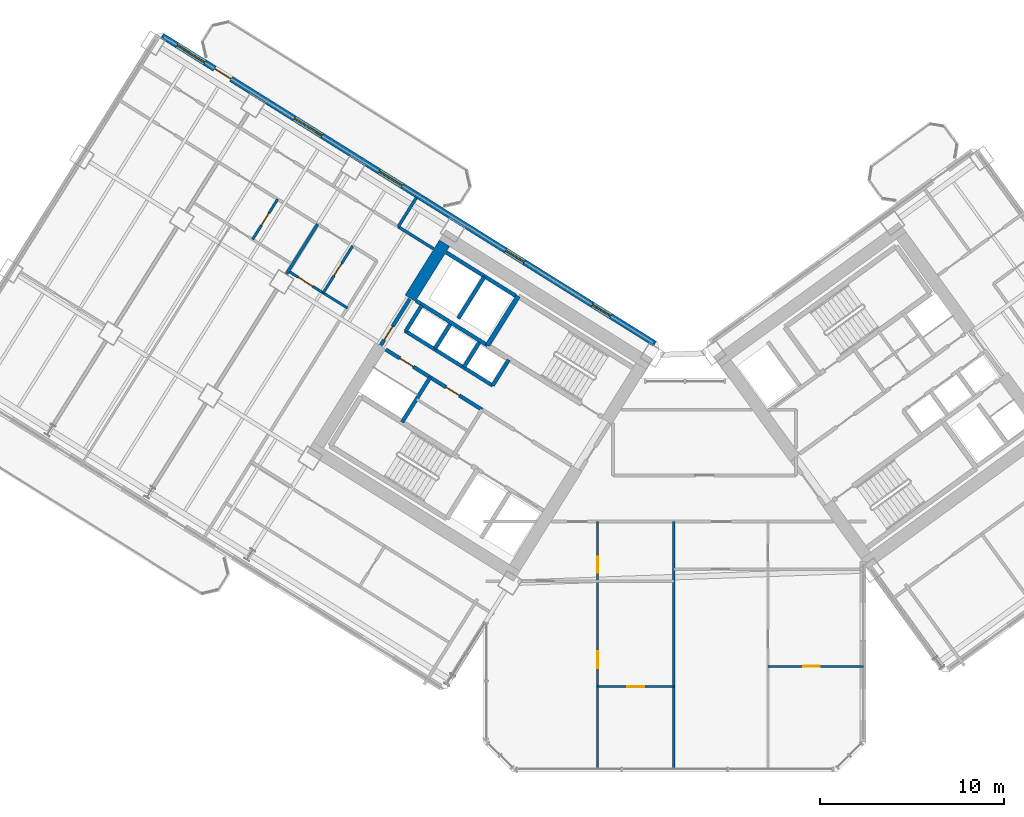
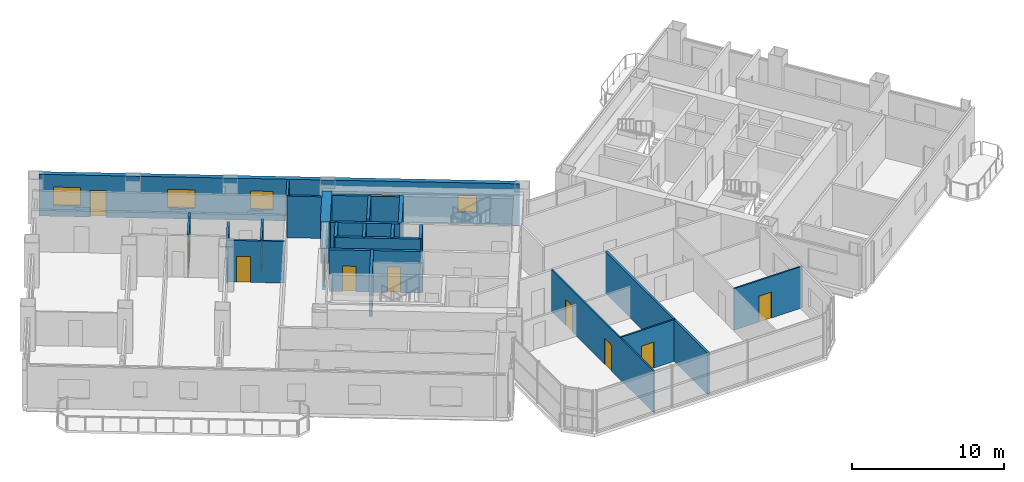
# One storey, part 16 of 28: 24 walls, 11 doors, 5 windows, 16 openings.
"""IFC4 building model written with IfcOpenShell, lengths in metres."""

from ifc_helpers import new_model, si_unit, direction, frame, frame_2d, origin, place, context, subcontext, project, spatial, rectangle, extrude, source, transform, mapped, material, layer, layer_set, type_object, element, fill, save


model = new_model("IFC4")

# Units and contexts
model_context = context("Model", 3, precision=1e-05, world=origin(), true_north=direction((0.0, 1.0)))
body_context = subcontext(model_context, "Body", "Model", "MODEL_VIEW")
ifc_project = project(units=[si_unit("LENGTHUNIT", "METRE"), si_unit("AREAUNIT", "SQUARE_METRE"), si_unit("VOLUMEUNIT", "CUBIC_METRE"), si_unit("PLANEANGLEUNIT", "RADIAN"), si_unit("MASSUNIT", "GRAM", prefix="KILO")], contexts=[model_context])

# Site, building, storey
site_placement = place(None, origin())
site = spatial("IfcSite", under=ifc_project, at=site_placement, CompositionType="ELEMENT")
building_placement = place(site_placement, origin())
building = spatial("IfcBuilding", under=site, at=building_placement, Name="Tlacorven Tower", CompositionType="ELEMENT")
storey_placement = place(building_placement, frame((0.0, 0.0, 34.800048828125)))
storey = spatial("IfcBuildingStorey", under=building, at=storey_placement, Name="L08", CompositionType="ELEMENT", Elevation=34.800048828125)

# Walls
ifc_material_1 = material(Name="Concrete C60/75", Category="concrete")
ifc_layer_1 = layer(ifc_material_1, 0.64990234375)
ifc_layer_set_1 = layer_set([ifc_layer_1], Name="Concrete C60/75")
wall_type_1 = type_object("IfcWallType", Name="WL-COR-650", PredefinedType="SHEAR", material=ifc_layer_set_1)
wall_1_placement = place(storey_placement, frame((29.49072265625, 30.5517578125, 0.0), z_axis=(0.0, 0.0, 1.0), x_axis=(-0.529893103397, -0.8480644427, 0.0)))
element("IfcWall", 1, at=wall_1_placement, inside=storey, type_object=wall_type_1, Name="L08 W core end wall E2.1", PredefinedType="SHEAR", context=body_context, shape_type="SweptSolid", body=[
    extrude(rectangle(XDim=3.525146484375, YDim=0.64990234375, at=frame_2d((1.7626953125, 0.0))), origin(), (0.0, 0.0, 1.0), 3.349853515625),
])
ifc_material_2 = material(Name="Gypsum plasterboard acoustic partition", Category="gypsum")
ifc_layer_2 = layer(ifc_material_2, 0.159912109375)
ifc_layer_set_2 = layer_set([ifc_layer_2], Name="Gypsum plasterboard acoustic partition")
wall_type_2 = type_object("IfcWallType", Name="WL-DEM-160", PredefinedType="PARTITIONING", material=ifc_layer_set_2)
wall_2_placement = place(storey_placement, frame((28.887451171875, 30.250732421875, 0.0), z_axis=(0.0, 0.0, 1.0), x_axis=(-0.848040823168, 0.52993090327, 0.0)))
element("IfcWall", 2, at=wall_2_placement, inside=storey, type_object=wall_type_2, Name="L08 partition 50", PredefinedType="PARTITIONING", context=body_context, shape_type="SweptSolid", body=[
    extrude(rectangle(XDim=2.2578125, YDim=0.159912109375, at=frame_2d((1.12890625, 0.0))), origin(), (0.0, 0.0, 1.0), 3.33984375),
])
wall_3_placement = place(storey_placement, frame((27.952880859375, 33.01611328125, 0.0), z_axis=(0.0, 0.0, 1.0), x_axis=(-0.529880305451, -0.848072439061, 0.0)))
element("IfcWall", 3, at=wall_3_placement, inside=storey, type_object=wall_type_2, Name="L08 partition 52", PredefinedType="PARTITIONING", context=body_context, shape_type="SweptSolid", body=[
    extrude(rectangle(XDim=1.849853515625, YDim=0.159912109375, at=frame_2d((0.9248046875, 0.0))), origin(), (0.0, 0.0, 1.0), 3.33984375),
])
wall_4_placement = place(storey_placement, frame((22.5927734375, 31.58984375, 0.0), z_axis=(0.0, 0.0, 1.0), x_axis=(-0.529930102756, -0.848041323399, 0.0)))
element("IfcWall", 4, at=wall_4_placement, inside=storey, type_object=wall_type_2, Name="L08 WN Demising Wall 1", PredefinedType="PARTITIONING", context=body_context, shape_type="SweptSolid", body=[
    extrude(rectangle(XDim=3.18798828125, YDim=0.159912109375, at=frame_2d((1.593994140625, 0.0))), origin(), (0.0, 0.0, 1.0), 2.724853515625),
])
wall_5_placement = place(storey_placement, frame((41.949951171875, 1.9599609375, 0.0), z_axis=(0.0, 0.0, 1.0), x_axis=(0.0, 1.0, 0.0)))
element("IfcWall", 5, at=wall_5_placement, inside=storey, type_object=wall_type_2, Name="L08 Knuckle Demising Wall 1", PredefinedType="PARTITIONING", context=body_context, shape_type="SweptSolid", body=[
    extrude(rectangle(XDim=13.4599609375, YDim=0.159912109375, at=frame_2d((6.72998046875, 0.0))), origin(), (0.0, 0.0, 1.0), 3.33984375),
])

# Wall, openings, door, windows
ifc_material_3 = material(Name="Precast concrete C45/55", Category="concrete")
ifc_layer_3 = layer(ifc_material_3, 0.320068359375)
ifc_layer_set_3 = layer_set([ifc_layer_3], Name="Precast concrete C45/55")
wall_type_3 = type_object("IfcWallType", Name="WL-EXT-320", PredefinedType="STANDARD", material=ifc_layer_set_3)
wall_6_placement = place(storey_placement, frame((14.13818359375, 41.825439453125, 0.0), z_axis=(0.0, 0.0, 1.0), x_axis=(0.848046498049, -0.529921821731, 0.0)))
wall_6 = element("IfcWall", 6, at=wall_6_placement, inside=storey, type_object=wall_type_3, Name="L08 Masonry-Frame Recessed Facade Wall 3", PredefinedType="STANDARD", context=body_context, shape_type="SweptSolid", body=[
    extrude(rectangle(XDim=31.587646484375, YDim=0.320068359375, at=frame_2d((15.7939453125, 0.0))), origin(), (0.0, 0.0, 1.0), 3.349853515625),
])
opening_1_placement = place(wall_6_placement, frame((3.368896484375, 0.0, 0.0)))
opening_1 = element("IfcOpeningElement", 7, at=opening_1_placement, cuts=wall_6, Name="Opening D06", PredefinedType="OPENING", context=body_context, shape_type="SweptSolid", body=[
    extrude(rectangle(XDim=1.050048828125, YDim=2.14990234375, at=frame_2d((0.52490234375, 1.074951171875))), frame((0.0, 0.169921875, 0.0), z_axis=(0.0, -1.0, 0.0), x_axis=(1.0, 0.0, 0.0)), (0.0, 0.0, 1.0), 0.340087890625),
])
opening_2_placement = place(wall_6_placement, frame((0.9462890625, 0.0, 0.85009765625)))
opening_2 = element("IfcOpeningElement", 8, at=opening_2_placement, cuts=wall_6, Name="Opening WN01", PredefinedType="OPENING", context=body_context, shape_type="SweptSolid", body=[
    extrude(rectangle(XDim=1.800048828125, YDim=1.5, at=frame_2d((0.89990234375, 0.75))), frame((0.0, 0.169921875, 0.0), z_axis=(0.0, -1.0, 0.0), x_axis=(1.0, 0.0, 0.0)), (0.0, 0.0, 1.0), 0.340087890625),
])
opening_3_placement = place(wall_6_placement, frame((8.460205078125, 0.0, 0.85009765625)))
opening_3 = element("IfcOpeningElement", 9, at=opening_3_placement, cuts=wall_6, Name="Opening WN01", PredefinedType="OPENING", context=body_context, shape_type="SweptSolid", body=[
    extrude(rectangle(XDim=1.800048828125, YDim=1.5, at=frame_2d((0.89990234375, 0.75))), frame((0.0, 0.169921875, 0.0), z_axis=(0.0, -1.0, 0.0), x_axis=(1.0, 0.0, 0.0)), (0.0, 0.0, 1.0), 0.340087890625),
])
opening_4_placement = place(wall_6_placement, frame((13.898681640625, 0.0, 0.85009765625)))
opening_4 = element("IfcOpeningElement", 10, at=opening_4_placement, cuts=wall_6, Name="Opening WN02", PredefinedType="OPENING", context=body_context, shape_type="SweptSolid", body=[
    extrude(rectangle(XDim=1.5, YDim=1.5, at=frame_2d((0.75, 0.75))), frame((0.0, 0.169921875, 0.0), z_axis=(0.0, -1.0, 0.0), x_axis=(1.0, 0.0, 0.0)), (0.0, 0.0, 1.0), 0.340087890625),
])
opening_5_placement = place(wall_6_placement, frame((22.018798828125, 0.0, 0.949951171875)))
opening_5 = element("IfcOpeningElement", 11, at=opening_5_placement, cuts=wall_6, Name="Opening WN03", PredefinedType="OPENING", context=body_context, shape_type="SweptSolid", body=[
    extrude(rectangle(XDim=1.199951171875, YDim=1.39990234375, at=frame_2d((0.60009765625, 0.699951171875))), frame((0.0, 0.169921875, 0.0), z_axis=(0.0, -1.0, 0.0), x_axis=(1.0, 0.0, 0.0)), (0.0, 0.0, 1.0), 0.340087890625),
])
opening_6_placement = place(wall_6_placement, frame((27.568603515625, 0.0, 0.949951171875)))
opening_6 = element("IfcOpeningElement", 12, at=opening_6_placement, cuts=wall_6, Name="Opening WN03", PredefinedType="OPENING", context=body_context, shape_type="SweptSolid", body=[
    extrude(rectangle(XDim=1.199951171875, YDim=1.39990234375, at=frame_2d((0.60009765625, 0.699951171875))), frame((0.0, 0.169921875, 0.0), z_axis=(0.0, -1.0, 0.0), x_axis=(1.0, 0.0, 0.0)), (0.0, 0.0, 1.0), 0.340087890625),
])
ifc_material_4 = material(Name="Powder-coated aluminium and timber door", Category="wood")
door_type_1 = type_object("IfcDoorType", Name="DR-EXT-BALC-1050", OperationType="NOTDEFINED", PredefinedType="DOOR", material=ifc_material_4)
shared_shape_1 = source(origin(), body_context, "Body", "SweptSolid", [
    extrude(rectangle(XDim=1.050048828125, YDim=2.14990234375, at=frame_2d((0.52490234375, 1.074951171875))), frame((0.0, 0.02490234375, 0.0), z_axis=(0.0, -1.0, 0.0), x_axis=(1.0, 0.0, 0.0)), (0.0, 0.0, 1.0), 0.050048828125),
])
door_1_placement = place(opening_1_placement, origin())
door_1 = element("IfcDoor", 13, at=door_1_placement, inside=storey, type_object=door_type_1, Name="L08 Outdoor Access Door BAL-L08-W-IN", OperationType="SINGLE_SWING_RIGHT", OverallHeight=2.14990234375, OverallWidth=1.050048828125, PredefinedType="DOOR", context=body_context, shape_type="MappedRepresentation", body=[
    mapped(shared_shape_1, transform((0.0, 0.0, 0.0), scale=1.0)),
])
fill(opening_1, door_1)
ifc_material_5 = material(Name="Dark solar low-E double glazing in anodised aluminium frame", Category="aluminium")
window_type_1 = type_object("IfcWindowType", Name="WN-APT-1200X1500", PartitioningType="SINGLE_PANEL", PredefinedType="WINDOW", material=ifc_material_5)
shared_shape_2 = source(origin(), body_context, "Body", "SweptSolid", [
    extrude(rectangle(XDim=1.199951171875, YDim=1.39990234375, at=frame_2d((0.60009765625, 0.699951171875))), frame((0.0, 0.030029296875, 0.0), z_axis=(0.0, -1.0, 0.0), x_axis=(1.0, 0.0, 0.0)), (0.0, 0.0, 1.0), 0.06005859375),
])
window_1_placement = place(opening_5_placement, origin())
window_1 = element("IfcWindow", 14, at=window_1_placement, inside=storey, type_object=window_type_1, Name="L08 Recessed Masonry-Frame Window L08-03.4", OverallHeight=1.39990234375, OverallWidth=1.199951171875, PartitioningType="SINGLE_PANEL", PredefinedType="WINDOW", context=body_context, shape_type="MappedRepresentation", body=[
    mapped(shared_shape_2, transform((0.0, 0.0, 0.0), scale=1.0)),
])
fill(opening_5, window_1)
window_2_placement = place(opening_6_placement, origin())
window_2 = element("IfcWindow", 15, at=window_2_placement, inside=storey, type_object=window_type_1, Name="L08 Recessed Masonry-Frame Window L08-03.5", OverallHeight=1.39990234375, OverallWidth=1.199951171875, PartitioningType="SINGLE_PANEL", PredefinedType="WINDOW", context=body_context, shape_type="MappedRepresentation", body=[
    mapped(shared_shape_2, transform((0.0, 0.0, 0.0), scale=1.0)),
])
fill(opening_6, window_2)
window_type_2 = type_object("IfcWindowType", Name="WN-APT-1800X1650", PartitioningType="SINGLE_PANEL", PredefinedType="WINDOW", material=ifc_material_5)
shared_shape_3 = source(origin(), body_context, "Body", "SweptSolid", [
    extrude(rectangle(XDim=1.800048828125, YDim=1.5, at=frame_2d((0.89990234375, 0.75))), frame((0.0, 0.030029296875, 0.0), z_axis=(0.0, -1.0, 0.0), x_axis=(1.0, 0.0, 0.0)), (0.0, 0.0, 1.0), 0.06005859375),
])
window_3_placement = place(opening_2_placement, origin())
window_3 = element("IfcWindow", 16, at=window_3_placement, inside=storey, type_object=window_type_2, Name="L08 Recessed Masonry-Frame Window L08-03.1", OverallHeight=1.5, OverallWidth=1.800048828125, PartitioningType="SINGLE_PANEL", PredefinedType="WINDOW", context=body_context, shape_type="MappedRepresentation", body=[
    mapped(shared_shape_3, transform((0.0, 0.0, 0.0), scale=1.0)),
])
fill(opening_2, window_3)
window_4_placement = place(opening_3_placement, origin())
window_4 = element("IfcWindow", 17, at=window_4_placement, inside=storey, type_object=window_type_2, Name="L08 Recessed Masonry-Frame Window L08-03.2", OverallHeight=1.5, OverallWidth=1.800048828125, PartitioningType="SINGLE_PANEL", PredefinedType="WINDOW", context=body_context, shape_type="MappedRepresentation", body=[
    mapped(shared_shape_3, transform((0.0, 0.0, 0.0), scale=1.0)),
])
fill(opening_3, window_4)
window_type_3 = type_object("IfcWindowType", Name="WN-APT-1500X1650", PartitioningType="SINGLE_PANEL", PredefinedType="WINDOW", material=ifc_material_5)
shared_shape_4 = source(origin(), body_context, "Body", "SweptSolid", [
    extrude(rectangle(XDim=1.5, YDim=1.5, at=frame_2d((0.75, 0.75))), frame((0.0, 0.030029296875, 0.0), z_axis=(0.0, -1.0, 0.0), x_axis=(1.0, 0.0, 0.0)), (0.0, 0.0, 1.0), 0.06005859375),
])
window_5_placement = place(opening_4_placement, origin())
window_5 = element("IfcWindow", 18, at=window_5_placement, inside=storey, type_object=window_type_3, Name="L08 Recessed Masonry-Frame Window L08-03.3", OverallHeight=1.5, OverallWidth=1.5, PartitioningType="SINGLE_PANEL", PredefinedType="WINDOW", context=body_context, shape_type="MappedRepresentation", body=[
    mapped(shared_shape_4, transform((0.0, 0.0, 0.0), scale=1.0)),
])
fill(opening_4, window_5)

# Wall, openings, doors
ifc_material_6 = material(Name="Gypsum plasterboard partition", Category="gypsum")
ifc_layer_4 = layer(ifc_material_6, 0.110107421875)
ifc_layer_set_4 = layer_set([ifc_layer_4], Name="Gypsum plasterboard partition")
wall_type_4 = type_object("IfcWallType", Name="WL-INT-110", PredefinedType="PARTITIONING", material=ifc_layer_set_4)
wall_7_placement = place(storey_placement, frame((37.81298828125, 1.9599609375, 0.0), z_axis=(0.0, 0.0, 1.0), x_axis=(0.0, 1.0, 0.0)))
wall_7 = element("IfcWall", 19, at=wall_7_placement, inside=storey, type_object=wall_type_4, Name="L08 partition 78", PredefinedType="PARTITIONING", context=body_context, shape_type="SweptSolid", body=[
    extrude(rectangle(XDim=13.4599609375, YDim=0.110107421875, at=frame_2d((6.72998046875, 0.0))), origin(), (0.0, 0.0, 1.0), 3.33984375),
])
opening_7_placement = place(wall_7_placement, frame((5.5, 0.0, 0.0)))
opening_7 = element("IfcOpeningElement", 20, at=opening_7_placement, cuts=wall_7, Name="Opening D12", PredefinedType="OPENING", context=body_context, shape_type="SweptSolid", body=[
    extrude(rectangle(XDim=0.919921875, YDim=2.080078125, at=frame_2d((0.4599609375, 1.0400390625))), frame((0.0, 0.06494140625, 0.0), z_axis=(0.0, -1.0, 0.0), x_axis=(1.0, 0.0, 0.0)), (0.0, 0.0, 1.0), 0.130126953125),
])
opening_8_placement = place(wall_7_placement, frame((10.669921875, 0.0, 0.0)))
opening_8 = element("IfcOpeningElement", 21, at=opening_8_placement, cuts=wall_7, Name="Opening D13", PredefinedType="OPENING", context=body_context, shape_type="SweptSolid", body=[
    extrude(rectangle(XDim=0.8798828125, YDim=2.080078125, at=frame_2d((0.43994140625, 1.0400390625))), frame((0.0, 0.06494140625, 0.0), z_axis=(0.0, -1.0, 0.0), x_axis=(1.0, 0.0, 0.0)), (0.0, 0.0, 1.0), 0.130126953125),
])
door_type_2 = type_object("IfcDoorType", Name="DR-INT-WET-0880", OperationType="NOTDEFINED", PredefinedType="DOOR", material=ifc_material_4)
shared_shape_5 = source(origin(), body_context, "Body", "SweptSolid", [
    extrude(rectangle(XDim=0.8798828125, YDim=2.080078125, at=frame_2d((0.43994140625, 1.0400390625))), frame((0.0, 0.02490234375, 0.0), z_axis=(0.0, -1.0, 0.0), x_axis=(1.0, 0.0, 0.0)), (0.0, 0.0, 1.0), 0.050048828125),
])
door_2_placement = place(opening_8_placement, origin())
door_2 = element("IfcDoor", 22, at=door_2_placement, inside=storey, type_object=door_type_2, Name="L08 door 045", OperationType="SINGLE_SWING_LEFT", OverallHeight=2.080078125, OverallWidth=0.8798828125, PredefinedType="DOOR", context=body_context, shape_type="MappedRepresentation", body=[
    mapped(shared_shape_5, transform((0.0, 0.0, 0.0), scale=1.0)),
])
fill(opening_8, door_2)
door_type_3 = type_object("IfcDoorType", Name="DR-INT-ROOM-0920", OperationType="NOTDEFINED", PredefinedType="DOOR", material=ifc_material_4)
shared_shape_6 = source(origin(), body_context, "Body", "SweptSolid", [
    extrude(rectangle(XDim=0.919921875, YDim=2.080078125, at=frame_2d((0.4599609375, 1.0400390625))), frame((0.0, 0.02490234375, 0.0), z_axis=(0.0, -1.0, 0.0), x_axis=(1.0, 0.0, 0.0)), (0.0, 0.0, 1.0), 0.050048828125),
])
door_3_placement = place(opening_7_placement, origin())
door_3 = element("IfcDoor", 23, at=door_3_placement, inside=storey, type_object=door_type_3, Name="L08 door 041", OperationType="SINGLE_SWING_LEFT", OverallHeight=2.080078125, OverallWidth=0.919921875, PredefinedType="DOOR", context=body_context, shape_type="MappedRepresentation", body=[
    mapped(shared_shape_6, transform((0.0, 0.0, 0.0), scale=1.0)),
])
fill(opening_7, door_3)

# Wall, opening, door
wall_8_placement = place(storey_placement, frame((37.81298828125, 6.449951171875, 0.0), z_axis=(0.0, 0.0, 1.0), x_axis=(1.0, 0.0, 0.0)))
wall_8 = element("IfcWall", 24, at=wall_8_placement, inside=storey, type_object=wall_type_4, Name="L08 partition 81", PredefinedType="PARTITIONING", context=body_context, shape_type="SweptSolid", body=[
    extrude(rectangle(XDim=4.136962890625, YDim=0.110107421875, at=frame_2d((2.068359375, 0.0))), origin(), (0.0, 0.0, 1.0), 3.33984375),
])
opening_9_placement = place(wall_8_placement, frame((1.6083984375, 0.0, 0.0)))
opening_9 = element("IfcOpeningElement", 25, at=opening_9_placement, cuts=wall_8, Name="Opening D12", PredefinedType="OPENING", context=body_context, shape_type="SweptSolid", body=[
    extrude(rectangle(XDim=0.919921875, YDim=2.080078125, at=frame_2d((0.4599609375, 1.0400390625))), frame((0.0, 0.06494140625, 0.0), z_axis=(0.0, -1.0, 0.0), x_axis=(1.0, 0.0, 0.0)), (0.0, 0.0, 1.0), 0.130126953125),
])
door_4_placement = place(opening_9_placement, origin())
door_4 = element("IfcDoor", 26, at=door_4_placement, inside=storey, type_object=door_type_3, Name="L08 door 042", OperationType="SINGLE_SWING_RIGHT", OverallHeight=2.080078125, OverallWidth=0.919921875, PredefinedType="DOOR", context=body_context, shape_type="MappedRepresentation", body=[
    mapped(shared_shape_6, transform((0.0, 0.0, 0.0), scale=1.0)),
])
fill(opening_9, door_4)

wall_9_placement = place(storey_placement, frame((47.072021484375, 7.550048828125, 0.0), z_axis=(0.0, 0.0, 1.0), x_axis=(1.0, 0.0, 0.0)))
wall_9 = element("IfcWall", 27, at=wall_9_placement, inside=storey, type_object=wall_type_4, Name="L08 partition 85", PredefinedType="PARTITIONING", context=body_context, shape_type="SweptSolid", body=[
    extrude(rectangle(XDim=5.18798828125, YDim=0.110107421875, at=frame_2d((2.593994140625, 0.0))), origin(), (0.0, 0.0, 1.0), 3.33984375),
])
opening_10_placement = place(wall_9_placement, frame((1.904052734375, 0.0, 0.0)))
opening_10 = element("IfcOpeningElement", 28, at=opening_10_placement, cuts=wall_9, Name="Opening D12", PredefinedType="OPENING", context=body_context, shape_type="SweptSolid", body=[
    extrude(rectangle(XDim=0.919921875, YDim=2.080078125, at=frame_2d((0.4599609375, 1.0400390625))), frame((0.0, 0.06494140625, 0.0), z_axis=(0.0, -1.0, 0.0), x_axis=(1.0, 0.0, 0.0)), (0.0, 0.0, 1.0), 0.130126953125),
])
door_5_placement = place(opening_10_placement, origin())
door_5 = element("IfcDoor", 29, at=door_5_placement, inside=storey, type_object=door_type_3, Name="L08 door 047", OperationType="SINGLE_SWING_LEFT", OverallHeight=2.080078125, OverallWidth=0.919921875, PredefinedType="DOOR", context=body_context, shape_type="MappedRepresentation", body=[
    mapped(shared_shape_6, transform((0.0, 0.0, 0.0), scale=1.0)),
])
fill(opening_10, door_5)

ifc_material_7 = material(Name="Moisture-resistant gypsum plumbing wall", Category="gypsum")
ifc_layer_5 = layer(ifc_material_7, 0.139892578125)
ifc_layer_set_5 = layer_set([ifc_layer_5], Name="Moisture-resistant gypsum plumbing wall")
wall_type_5 = type_object("IfcWallType", Name="WL-PLM-140", PredefinedType="PLUMBINGWALL", material=ifc_layer_set_5)
wall_10_placement = place(storey_placement, frame((24.211669921875, 27.02880859375, 0.0), z_axis=(0.0, 0.0, 1.0), x_axis=(-0.84803087207, 0.529946827537, 0.0)))
wall_10 = element("IfcWall", 30, at=wall_10_placement, inside=storey, type_object=wall_type_5, Name="L08 partition 57", PredefinedType="PLUMBINGWALL", context=body_context, shape_type="SweptSolid", body=[
    extrude(rectangle(XDim=3.7900390625, YDim=0.139892578125, at=frame_2d((1.89501953125, 0.0))), origin(), (0.0, 0.0, 1.0), 3.33984375),
])
opening_11_placement = place(wall_10_placement, frame((2.22998046875, 0.0, 0.0)))
opening_11 = element("IfcOpeningElement", 31, at=opening_11_placement, cuts=wall_10, Name="Opening D12", PredefinedType="OPENING", context=body_context, shape_type="SweptSolid", body=[
    extrude(rectangle(XDim=0.919921875, YDim=2.080078125, at=frame_2d((0.4599609375, 1.0400390625))), frame((0.0, 0.080078125, 0.0), z_axis=(0.0, -1.0, 0.0), x_axis=(1.0, 0.0, 0.0)), (0.0, 0.0, 1.0), 0.159912109375),
])
door_6_placement = place(opening_11_placement, origin())
door_6 = element("IfcDoor", 32, at=door_6_placement, inside=storey, type_object=door_type_3, Name="L08 door 024", OperationType="SINGLE_SWING_LEFT", OverallHeight=2.080078125, OverallWidth=0.919921875, PredefinedType="DOOR", context=body_context, shape_type="MappedRepresentation", body=[
    mapped(shared_shape_6, transform((0.0, 0.0, 0.0), scale=1.0)),
])
fill(opening_11, door_6)

wall_11_placement = place(storey_placement, frame((24.492431640625, 30.40283203125, 0.0), z_axis=(0.0, 0.0, 1.0), x_axis=(-0.529977067289, -0.848011974059, 0.0)))
wall_11 = element("IfcWall", 33, at=wall_11_placement, inside=storey, type_object=wall_type_5, Name="L08 partition 58", PredefinedType="PLUMBINGWALL", context=body_context, shape_type="SweptSolid", body=[
    extrude(rectangle(XDim=3.010009765625, YDim=0.139892578125, at=frame_2d((1.5048828125, 0.0))), origin(), (0.0, 0.0, 1.0), 2.994873046875),
])
opening_12_placement = place(wall_11_placement, frame((1.114990234375, 0.0, 0.0)))
opening_12 = element("IfcOpeningElement", 34, at=opening_12_placement, cuts=wall_11, Name="Opening D22", PredefinedType="OPENING", context=body_context, shape_type="SweptSolid", body=[
    extrude(rectangle(XDim=0.780029296875, YDim=2.050048828125, at=frame_2d((0.39013671875, 1.02490234375))), frame((0.0, 0.080078125, 0.0), z_axis=(0.0, -1.0, 0.0), x_axis=(1.0, 0.0, 0.0)), (0.0, 0.0, 1.0), 0.159912109375),
])
door_type_4 = type_object("IfcDoorType", Name="DR-INT-WET-0780", OperationType="NOTDEFINED", PredefinedType="DOOR", material=ifc_material_4)
shared_shape_7 = source(origin(), body_context, "Body", "SweptSolid", [
    extrude(rectangle(XDim=0.780029296875, YDim=2.050048828125, at=frame_2d((0.39013671875, 1.02490234375))), frame((0.0, 0.02490234375, 0.0), z_axis=(0.0, -1.0, 0.0), x_axis=(1.0, 0.0, 0.0)), (0.0, 0.0, 1.0), 0.050048828125),
])
door_7_placement = place(opening_12_placement, origin())
door_7 = element("IfcDoor", 35, at=door_7_placement, inside=storey, type_object=door_type_4, Name="L08 door 025", OperationType="SINGLE_SWING_LEFT", OverallHeight=2.050048828125, OverallWidth=0.780029296875, PredefinedType="DOOR", context=body_context, shape_type="MappedRepresentation", body=[
    mapped(shared_shape_7, transform((0.0, 0.0, 0.0), scale=1.0)),
])
fill(opening_12, door_7)

wall_12_placement = place(storey_placement, frame((20.421630859375, 32.946533203125, 0.0), z_axis=(0.0, 0.0, 1.0), x_axis=(-0.529913878929, -0.848051461244, 0.0)))
wall_12 = element("IfcWall", 36, at=wall_12_placement, inside=storey, type_object=wall_type_5, Name="L08 partition 61", PredefinedType="PLUMBINGWALL", context=body_context, shape_type="SweptSolid", body=[
    extrude(rectangle(XDim=2.580078125, YDim=0.139892578125, at=frame_2d((1.2900390625, 0.0))), origin(), (0.0, 0.0, 1.0), 3.33984375),
])
opening_13_placement = place(wall_12_placement, frame((0.89990234375, 0.0, 0.0)))
opening_13 = element("IfcOpeningElement", 37, at=opening_13_placement, cuts=wall_12, Name="Opening D22", PredefinedType="OPENING", context=body_context, shape_type="SweptSolid", body=[
    extrude(rectangle(XDim=0.780029296875, YDim=2.050048828125, at=frame_2d((0.39013671875, 1.02490234375))), frame((0.0, 0.080078125, 0.0), z_axis=(0.0, -1.0, 0.0), x_axis=(1.0, 0.0, 0.0)), (0.0, 0.0, 1.0), 0.159912109375),
])
door_8_placement = place(opening_13_placement, origin())
door_8 = element("IfcDoor", 38, at=door_8_placement, inside=storey, type_object=door_type_4, Name="L08 door 029", OperationType="SINGLE_SWING_LEFT", OverallHeight=2.050048828125, OverallWidth=0.780029296875, PredefinedType="DOOR", context=body_context, shape_type="MappedRepresentation", body=[
    mapped(shared_shape_7, transform((0.0, 0.0, 0.0), scale=1.0)),
])
fill(opening_13, door_8)

# Walls
ifc_material_8 = material(Name="Concrete C40/50", Category="concrete")
ifc_layer_6 = layer(ifc_material_8, 0.199951171875)
ifc_layer_set_6 = layer_set([ifc_layer_6], Name="Concrete C40/50")
wall_type_6 = type_object("IfcWallType", Name="WL-SHF-200", PredefinedType="STANDARD", material=ifc_layer_set_6)
wall_13_placement = place(storey_placement, frame((31.82177734375, 24.99755859375, 0.0), z_axis=(0.0, 0.0, 1.0), x_axis=(-0.848058348634, 0.529902856485, 0.0)))
element("IfcWall", 39, at=wall_13_placement, inside=storey, type_object=wall_type_6, Name="L08 Core W South Lift Shaft Wall", PredefinedType="STANDARD", context=body_context, shape_type="SweptSolid", body=[
    extrude(rectangle(XDim=4.568115234375, YDim=0.199951171875, at=frame_2d((2.2841796875, 0.0))), origin(), (0.0, 0.0, 1.0), 3.33984375),
])
wall_14_placement = place(storey_placement, frame((32.108154296875, 22.81396484375, 0.0), z_axis=(0.0, 0.0, 1.0), x_axis=(-0.848042229521, 0.529928652696, 0.0)))
element("IfcWall", 40, at=wall_14_placement, inside=storey, type_object=wall_type_6, Name="L08 partition 11", PredefinedType="STANDARD", context=body_context, shape_type="SweptSolid", body=[
    extrude(rectangle(XDim=5.6201171875, YDim=0.199951171875, at=frame_2d((2.81005859375, 0.0))), origin(), (0.0, 0.0, 1.0), 3.33984375),
])
wall_15_placement = place(storey_placement, frame((32.982421875, 24.21337890625, 0.0), z_axis=(0.0, 0.0, 1.0), x_axis=(-0.529839334948, -0.84809803628, 0.0)))
element("IfcWall", 41, at=wall_15_placement, inside=storey, type_object=wall_type_6, Name="L08 partition 12", PredefinedType="STANDARD", context=body_context, shape_type="SweptSolid", body=[
    extrude(rectangle(XDim=1.650146484375, YDim=0.199951171875, at=frame_2d((0.8251953125, 0.0))), origin(), (0.0, 0.0, 1.0), 3.33984375),
])
wall_16_placement = place(storey_placement, frame((28.250244140625, 27.170166015625, 0.0), z_axis=(0.0, 0.0, 1.0), x_axis=(-0.529905827651, -0.848056492117, 0.0)))
element("IfcWall", 42, at=wall_16_placement, inside=storey, type_object=wall_type_6, Name="L08 partition 13", PredefinedType="STANDARD", context=body_context, shape_type="SweptSolid", body=[
    extrude(rectangle(XDim=1.64990234375, YDim=0.199951171875, at=frame_2d((0.824951171875, 0.0))), origin(), (0.0, 0.0, 1.0), 3.33984375),
])
wall_17_placement = place(storey_placement, frame((31.645263671875, 28.716064453125, 0.0), z_axis=(0.0, 0.0, 1.0), x_axis=(-0.52986693015, -0.848080795876, 0.0)))
element("IfcWall", 43, at=wall_17_placement, inside=storey, type_object=wall_type_6, Name="L08 partition 15", PredefinedType="STANDARD", context=body_context, shape_type="SweptSolid", body=[
    extrude(rectangle(XDim=2.659912109375, YDim=0.199951171875, at=frame_2d((1.330078125, 0.0))), origin(), (0.0, 0.0, 1.0), 3.33984375),
])
wall_18_placement = place(storey_placement, frame((33.362548828125, 27.690185546875, 0.0), z_axis=(0.0, 0.0, 1.0), x_axis=(-0.848053806312, 0.529910125964, 0.0)))
element("IfcWall", 44, at=wall_18_placement, inside=storey, type_object=wall_type_6, Name="L08 partition 17", PredefinedType="STANDARD", context=body_context, shape_type="SweptSolid", body=[
    extrude(rectangle(XDim=4.44775390625, YDim=0.199951171875, at=frame_2d((2.223876953125, 0.0))), origin(), (0.0, 0.0, 1.0), 3.33984375),
])
for number, where, z_axis, x_axis, name in (
    (45, (31.378662109375, 25.156494140625, 0.0), (0.0, 0.0, 1.0), (-0.529998940003, -0.847998304005, 0.0), "L08 partition 18"),
    (46, (29.80126953125, 26.14208984375, 0.0), (0.0, 0.0, 1.0), (-0.529998940003, -0.847998304005, 0.0), "L08 partition 19"),
):
    element("IfcWall", number, at=place(storey_placement, frame(where, z_axis=z_axis, x_axis=x_axis)), inside=storey, type_object=wall_type_6, Name=name, PredefinedType="STANDARD", context=body_context, shape_type="SweptSolid", body=[
        extrude(rectangle(XDim=1.580078125, YDim=0.199951171875, at=frame_2d((0.7900390625, 0.0))), origin(), (0.0, 0.0, 1.0), 3.33984375),
    ])
wall_19_placement = place(storey_placement, frame((28.709716796875, 23.26318359375, 0.0), z_axis=(0.0, 0.0, 1.0), x_axis=(-0.529907497854, -0.848055448493, 0.0)))
element("IfcWall", 47, at=wall_19_placement, inside=storey, type_object=wall_type_6, Name="L08 partition 21", PredefinedType="STANDARD", context=body_context, shape_type="SweptSolid", body=[
    extrude(rectangle(XDim=2.8798828125, YDim=0.199951171875, at=frame_2d((1.43994140625, 0.0))), origin(), (0.0, 0.0, 1.0), 3.33984375),
])

# Wall, openings, doors
wall_20_placement = place(storey_placement, frame((31.525146484375, 21.503662109375, 0.0), z_axis=(0.0, 0.0, 1.0), x_axis=(-0.848044998614, 0.529924221305, 0.0)))
wall_20 = element("IfcWall", 48, at=wall_20_placement, inside=storey, type_object=wall_type_6, Name="L08 Core W North Service Wall", PredefinedType="STANDARD", context=body_context, shape_type="SweptSolid", body=[
    extrude(rectangle(XDim=6.16796875, YDim=0.199951171875, at=frame_2d((3.083984375, 0.0))), origin(), (0.0, 0.0, 1.0), 3.33984375),
])
opening_14_placement = place(wall_20_placement, frame((4.39990234375, 0.0, 0.0)))
opening_14 = element("IfcOpeningElement", 49, at=opening_14_placement, cuts=wall_20, Name="Opening D19", PredefinedType="OPENING", context=body_context, shape_type="SweptSolid", body=[
    extrude(rectangle(XDim=0.860107421875, YDim=2.050048828125, at=frame_2d((0.43017578125, 1.02490234375))), frame((0.0, 0.10986328125, 0.0), z_axis=(0.0, -1.0, 0.0), x_axis=(1.0, 0.0, 0.0)), (0.0, 0.0, 1.0), 0.219970703125),
])
opening_15_placement = place(wall_20_placement, frame((1.449951171875, 0.0, 0.0)))
opening_15 = element("IfcOpeningElement", 50, at=opening_15_placement, cuts=wall_20, Name="Opening D19", PredefinedType="OPENING", context=body_context, shape_type="SweptSolid", body=[
    extrude(rectangle(XDim=0.860107421875, YDim=2.050048828125, at=frame_2d((0.43017578125, 1.02490234375))), frame((0.0, 0.10986328125, 0.0), z_axis=(0.0, -1.0, 0.0), x_axis=(1.0, 0.0, 0.0)), (0.0, 0.0, 1.0), 0.219970703125),
])
ifc_material_9 = material(Name="Fire-rated steel door assembly", Category="steel")
door_type_5 = type_object("IfcDoorType", Name="DR-RSR-FD60-0860", OperationType="NOTDEFINED", PredefinedType="DOOR", material=ifc_material_9)
shared_shape_8 = source(origin(), body_context, "Body", "SweptSolid", [
    extrude(rectangle(XDim=0.860107421875, YDim=2.050048828125, at=frame_2d((0.43017578125, 1.02490234375))), frame((0.0, 0.02490234375, 0.0), z_axis=(0.0, -1.0, 0.0), x_axis=(1.0, 0.0, 0.0)), (0.0, 0.0, 1.0), 0.050048828125),
])
door_9_placement = place(opening_14_placement, frame((0.860107421875, 0.0, 0.0), z_axis=(0.0, 0.0, 1.0), x_axis=(-1.0, 0.0, 0.0)))
door_9 = element("IfcDoor", 51, at=door_9_placement, inside=storey, type_object=door_type_5, Name="L08 Electrical Riser Access Door W", OperationType="SINGLE_SWING_LEFT", OverallHeight=2.050048828125, OverallWidth=0.860107421875, PredefinedType="DOOR", context=body_context, shape_type="MappedRepresentation", body=[
    mapped(shared_shape_8, transform((0.0, 0.0, 0.0), scale=1.0)),
])
fill(opening_14, door_9)
door_10_placement = place(opening_15_placement, frame((0.860107421875, 0.0, 0.0), z_axis=(0.0, 0.0, 1.0), x_axis=(-1.0, 0.0, 0.0)))
door_10 = element("IfcDoor", 52, at=door_10_placement, inside=storey, type_object=door_type_5, Name="L08 Cleaner Store Access Door W", OperationType="SINGLE_SWING_RIGHT", OverallHeight=2.050048828125, OverallWidth=0.860107421875, PredefinedType="DOOR", context=body_context, shape_type="MappedRepresentation", body=[
    mapped(shared_shape_8, transform((0.0, 0.0, 0.0), scale=1.0)),
])
fill(opening_15, door_10)

# Wall, opening, door
wall_21_placement = place(storey_placement, frame((27.59619140625, 27.52001953125, 0.0), z_axis=(0.0, 0.0, 1.0), x_axis=(-0.529865479138, -0.848081702443, 0.0)))
wall_21 = element("IfcWall", 53, at=wall_21_placement, inside=storey, type_object=wall_type_6, Name="L08 partition 49", PredefinedType="STANDARD", context=body_context, shape_type="SweptSolid", body=[
    extrude(rectangle(XDim=2.9599609375, YDim=0.199951171875, at=frame_2d((1.47998046875, 0.0))), origin(), (0.0, 0.0, 1.0), 3.33984375),
])
opening_16_placement = place(wall_21_placement, frame((1.760009765625, 0.0, 0.0)))
opening_16 = element("IfcOpeningElement", 54, at=opening_16_placement, cuts=wall_21, Name="Opening D19", PredefinedType="OPENING", context=body_context, shape_type="SweptSolid", body=[
    extrude(rectangle(XDim=0.860107421875, YDim=2.050048828125, at=frame_2d((0.43017578125, 1.02490234375))), frame((0.0, 0.10986328125, 0.0), z_axis=(0.0, -1.0, 0.0), x_axis=(1.0, 0.0, 0.0)), (0.0, 0.0, 1.0), 0.219970703125),
])
door_11_placement = place(opening_16_placement, origin())
door_11 = element("IfcDoor", 55, at=door_11_placement, inside=storey, type_object=door_type_5, Name="L08 door 022", OperationType="SINGLE_SWING_LEFT", OverallHeight=2.050048828125, OverallWidth=0.860107421875, PredefinedType="DOOR", context=body_context, shape_type="MappedRepresentation", body=[
    mapped(shared_shape_8, transform((0.0, 0.0, 0.0), scale=1.0)),
])
fill(opening_16, door_11)

# Wall
ifc_material_10 = material(Name="Concrete C50/60", Category="concrete")
ifc_layer_7 = layer(ifc_material_10, 0.260009765625)
ifc_layer_set_7 = layer_set([ifc_layer_7], Name="Concrete C50/60")
wall_type_7 = type_object("IfcWallType", Name="WL-STW-260", PredefinedType="SHEAR", material=ifc_layer_set_7)
wall_22_placement = place(storey_placement, frame((33.496337890625, 27.677490234375, 0.0), z_axis=(0.0, 0.0, 1.0), x_axis=(-0.529908658664, -0.84805472316, 0.0)))
element("IfcWall", 56, at=wall_22_placement, inside=storey, type_object=wall_type_7, Name="L08 Stair W2 East Shear Wall", PredefinedType="SHEAR", context=body_context, shape_type="SweptSolid", body=[
    extrude(rectangle(XDim=3.16015625, YDim=0.260009765625, at=frame_2d((1.580078125, 0.0))), origin(), (0.0, 0.0, 1.0), 3.349853515625),
])

save(model, "model.ifc")
